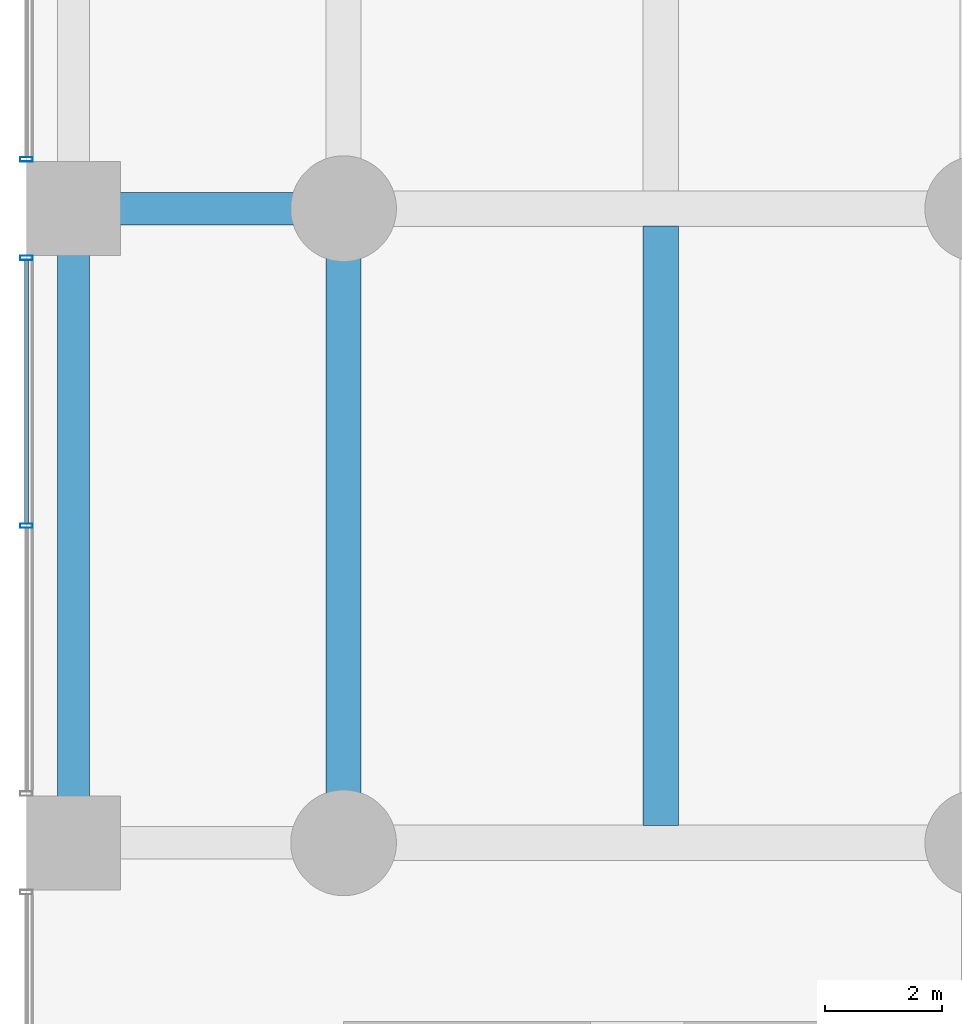
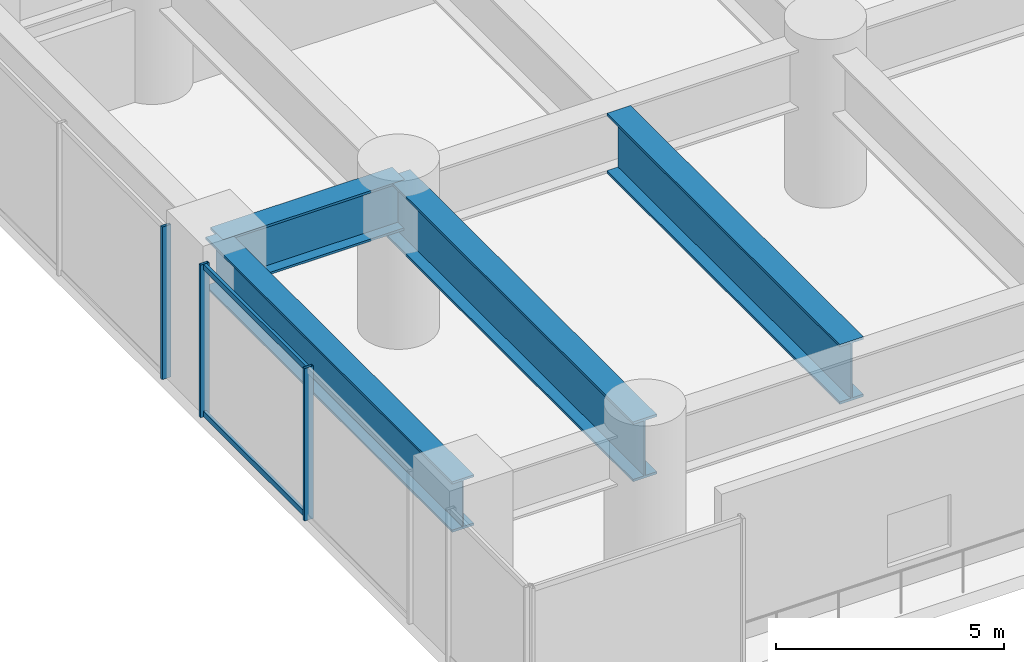
# One storey, part 3 of 37: 5 members, 4 beams, 2 elements without a shape of their own.
"""IFC4 building model written with IfcOpenShell, lengths in metres."""

from ifc_helpers import new_model, si_unit, direction, frame, origin, origin_2d, place, context, subcontext, project, spatial, hollow_rectangle, i_section, extrude, material, layer, layer_set, material_profile, profile_set, type_object, element, aggregate, save


model = new_model("IFC4")

# Units and contexts
model_context = context("Model", 3, precision=1e-05, world=origin(), true_north=direction((0.0, 1.0)))
body_context = subcontext(model_context, "Body", "Model", "MODEL_VIEW")
ifc_project = project(units=[si_unit("LENGTHUNIT", "METRE"), si_unit("AREAUNIT", "SQUARE_METRE"), si_unit("VOLUMEUNIT", "CUBIC_METRE"), si_unit("PLANEANGLEUNIT", "RADIAN"), si_unit("MASSUNIT", "GRAM", prefix="KILO")], contexts=[model_context])

# Site, building, storey
site_placement = place(None, origin())
site = spatial("IfcSite", under=ifc_project, at=site_placement, CompositionType="ELEMENT")
building_placement = place(site_placement, origin())
building = spatial("IfcBuilding", under=site, at=building_placement, Name="Surkhivell Harbour Commons", CompositionType="ELEMENT")
storey_placement = place(building_placement, frame((0.0, 0.0, 18.0)))
storey = spatial("IfcBuildingStorey", under=building, at=storey_placement, Name="L04", CompositionType="ELEMENT", Elevation=18.0)

# Beams
ifc_material_1 = material(Name="Steel S460", Category="steel")
ifc_material_profile_1 = material_profile(ifc_material_1, i_section(OverallWidth=0.550048828125, OverallDepth=1.35009765625, WebThickness=0.031982421875, FlangeThickness=0.06005859375, at=origin_2d()), Name="WPG1350x550x248")
ifc_profile_set_1 = profile_set([ifc_material_profile_1], Name="Steel S460")
beam_type_1 = type_object("IfcBeamType", Name="BM-TRF-1350", PredefinedType="BEAM", material=ifc_profile_set_1)
beam_1_placement = place(storey_placement, frame((-37.0, -21.60009765625, 3.405029296875), z_axis=(0.0, 1.0, 0.0), x_axis=(-1.0, 0.0, 0.0)))
element("IfcBeam", 1, at=beam_1_placement, inside=storey, type_object=beam_type_1, Name="L04 Transfer Girder (-37.0,-21.6)", PredefinedType="BEAM", context=body_context, shape_type="SweptSolid", body=[
    extrude(i_section(OverallWidth=0.550048828125, OverallDepth=1.35009765625, WebThickness=0.031982421875, FlangeThickness=0.06005859375, at=origin_2d()), origin(), (0.0, 0.0, 1.0), 10.800048828125),
])
beam_2_placement = place(storey_placement, frame((-37.0, -10.800048828125, 3.405029296875), z_axis=(1.0, 0.0, 0.0), x_axis=(0.0, 1.0, 0.0)))
element("IfcBeam", 2, at=beam_2_placement, inside=storey, type_object=beam_type_1, Name="L04 Transfer Girder (-37.0,-10.8)", PredefinedType="BEAM", context=body_context, shape_type="SweptSolid", body=[
    extrude(i_section(OverallWidth=0.550048828125, OverallDepth=1.35009765625, WebThickness=0.031982421875, FlangeThickness=0.06005859375, at=origin_2d()), origin(), (0.0, 0.0, 1.0), 4.60009765625),
])
ifc_material_profile_2 = material_profile(ifc_material_1, i_section(OverallWidth=0.60009765625, OverallDepth=1.60009765625, WebThickness=0.035888671875, FlangeThickness=0.06494140625, at=origin_2d()), Name="WPG1600x600x296")
ifc_profile_set_2 = profile_set([ifc_material_profile_2], Name="Steel S460")
beam_type_2 = type_object("IfcBeamType", Name="BM-TRF-1600", PredefinedType="BEAM", material=ifc_profile_set_2)
beam_3_placement = place(storey_placement, frame((-32.39990234375, -21.60009765625, 3.280029296875), z_axis=(0.0, 1.0, 0.0), x_axis=(-1.0, 0.0, 0.0)))
element("IfcBeam", 3, at=beam_3_placement, inside=storey, type_object=beam_type_2, Name="L04 Transfer Girder (-32.4,-21.6)", PredefinedType="BEAM", context=body_context, shape_type="SweptSolid", body=[
    extrude(i_section(OverallWidth=0.60009765625, OverallDepth=1.60009765625, WebThickness=0.035888671875, FlangeThickness=0.06494140625, at=origin_2d()), origin(), (0.0, 0.0, 1.0), 10.800048828125),
])
beam_4_placement = place(storey_placement, frame((-27.0, -21.302001953125, 3.280029296875), z_axis=(0.0, 1.0, 0.0), x_axis=(-1.0, 0.0, 0.0)))
element("IfcBeam", 4, at=beam_4_placement, inside=storey, type_object=beam_type_2, Name="L04 Secondary Transfer Girder (-27.0,-21.6)", PredefinedType="BEAM", context=body_context, shape_type="SweptSolid", body=[
    extrude(i_section(OverallWidth=0.60009765625, OverallDepth=1.60009765625, WebThickness=0.035888671875, FlangeThickness=0.06494140625, at=origin_2d()), origin(), (0.0, 0.0, 1.0), 10.2041015625),
])

# Curtain wall, members
ifc_material_2 = material(Name="Anodised pale-metal aluminium and insulated glazing", Category="aluminium")
ifc_layer = layer(ifc_material_2, 0.239990234375)
ifc_layer_set = layer_set([ifc_layer], Name="Anodised pale-metal aluminium and insulated glazing")
curtain_wall_type = type_object("IfcCurtainWallType", Name="CW-SYS-POD", PredefinedType="NOTDEFINED", material=ifc_layer_set)
curtain_wall_1_placement = place(storey_placement, origin())
curtain_wall_1 = element("IfcCurtainWall", 5, at=curtain_wall_1_placement, inside=storey, type_object=curtain_wall_type, Name="L04 Curtain Wall CW-L04-W2", PredefinedType="NOTDEFINED")
ifc_material_3 = material(Name="Anodised pale-metal aluminium alloy 6063-T6", Category="aluminium")
ifc_material_profile_3 = material_profile(ifc_material_3, hollow_rectangle(XDim=0.074951171875, YDim=0.219970703125, WallThickness=0.00390625, at=origin_2d()), Name="ALU-MULL-75x220")
ifc_profile_set_3 = profile_set([ifc_material_profile_3], Name="Anodised pale-metal aluminium alloy 6063-T6")
member_type_1 = type_object("IfcMemberType", Name="CWM-220", PredefinedType="MULLION", material=ifc_profile_set_3)
member_1_placement = place(storey_placement, frame((-37.800048828125, -16.199951171875, 0.0), z_axis=(0.0, 0.0, 1.0), x_axis=(0.0, 1.0, 0.0)))
member_1 = element("IfcMember", 6, at=member_1_placement, type_object=member_type_1, Name="CW-POD mullion 2", PredefinedType="MULLION", context=body_context, shape_type="SweptSolid", body=[
    extrude(hollow_rectangle(XDim=0.074951171875, YDim=0.219970703125, WallThickness=0.00390625, at=origin_2d()), origin(), (0.0, 0.0, 1.0), 4.080078125),
])
member_2_placement = place(storey_placement, frame((-37.800048828125, -11.639404296875, 0.0), z_axis=(0.0, 0.0, 1.0), x_axis=(0.0, 1.0, 0.0)))
member_2 = element("IfcMember", 7, at=member_2_placement, type_object=member_type_1, Name="CW-POD mullion 3", PredefinedType="MULLION", context=body_context, shape_type="SweptSolid", body=[
    extrude(hollow_rectangle(XDim=0.074951171875, YDim=0.219970703125, WallThickness=0.00390625, at=origin_2d()), origin(), (0.0, 0.0, 1.0), 4.080078125),
])

# Curtain wall, member
curtain_wall_2_placement = place(storey_placement, origin())
curtain_wall_2 = element("IfcCurtainWall", 8, at=curtain_wall_2_placement, inside=storey, type_object=curtain_wall_type, Name="L04 Curtain Wall CW-L04-W3", PredefinedType="NOTDEFINED")
member_3_placement = place(storey_placement, frame((-37.800048828125, -9.96044921875, 0.0), z_axis=(0.0, 0.0, 1.0), x_axis=(0.0, 1.0, 0.0)))
member_3 = element("IfcMember", 9, at=member_3_placement, type_object=member_type_1, Name="CW-POD mullion 1", PredefinedType="MULLION", context=body_context, shape_type="SweptSolid", body=[
    extrude(hollow_rectangle(XDim=0.074951171875, YDim=0.219970703125, WallThickness=0.00390625, at=origin_2d()), origin(), (0.0, 0.0, 1.0), 4.080078125),
])
aggregate(curtain_wall_2, [member_3])

# Member
ifc_material_profile_4 = material_profile(ifc_material_3, hollow_rectangle(XDim=0.074951171875, YDim=0.14990234375, WallThickness=0.00341796875, at=origin_2d()), Name="ALU-TRAN-75x150")
ifc_profile_set_4 = profile_set([ifc_material_profile_4], Name="Anodised pale-metal aluminium alloy 6063-T6")
member_type_2 = type_object("IfcMemberType", Name="CWT-150", PredefinedType="USERDEFINED", material=ifc_profile_set_4)
member_4_placement = place(storey_placement, frame((-37.800048828125, -16.16259765625, 0.074951171875), z_axis=(0.0, 1.0, 0.0), x_axis=(-1.0, 0.0, 0.0)))
member_4 = element("IfcMember", 10, at=member_4_placement, type_object=member_type_2, Name="CW-POD transom 2.1", ObjectType="TRANSOM", PredefinedType="USERDEFINED", context=body_context, shape_type="SweptSolid", body=[
    extrude(hollow_rectangle(XDim=0.074951171875, YDim=0.14990234375, WallThickness=0.00341796875, at=origin_2d()), origin(), (0.0, 0.0, 1.0), 4.485595703125),
])

member_5_placement = place(storey_placement, frame((-37.800048828125, -16.16259765625, 4.0048828125), z_axis=(0.0, 1.0, 0.0), x_axis=(-1.0, 0.0, 0.0)))
member_5 = element("IfcMember", 11, at=member_5_placement, type_object=member_type_2, Name="CW-POD transom 2.2", ObjectType="TRANSOM", PredefinedType="USERDEFINED", context=body_context, shape_type="SweptSolid", body=[
    extrude(hollow_rectangle(XDim=0.074951171875, YDim=0.14990234375, WallThickness=0.00341796875, at=origin_2d()), origin(), (0.0, 0.0, 1.0), 4.485595703125),
])

aggregate(curtain_wall_1, [member_1, member_2, member_4, member_5])

save(model, "model.ifc")
